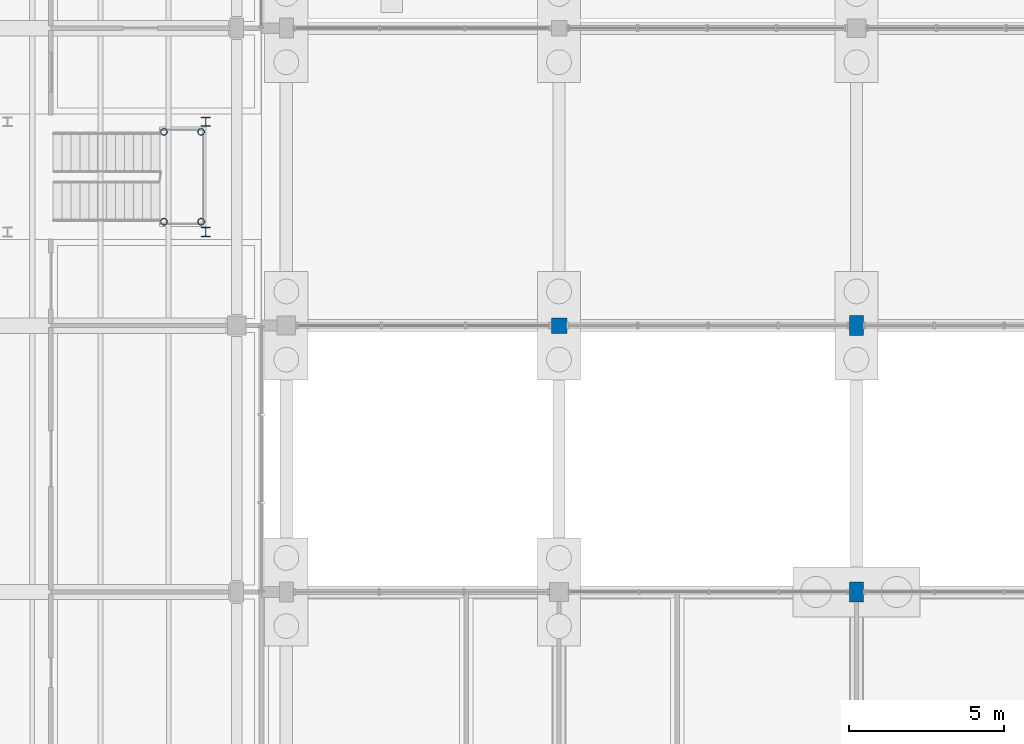
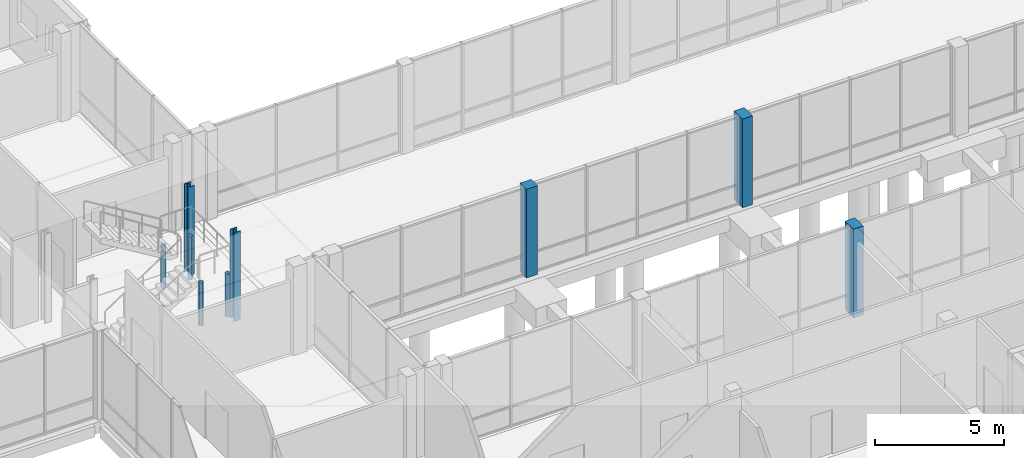
# One storey, part 8 of 104: 9 columns.
"""IFC4 building model written with IfcOpenShell, lengths in metres."""

from ifc_helpers import new_model, si_unit, direction, frame, origin, origin_2d, place, context, subcontext, project, spatial, rectangle, hollow_circle, i_section, extrude, material, material_profile, profile_set, type_object, element, save


model = new_model("IFC4")

# Units and contexts
model_context = context("Model", 3, precision=1e-05, world=origin(), true_north=direction((0.0, 1.0)))
body_context = subcontext(model_context, "Body", "Model", "MODEL_VIEW")
ifc_project = project(units=[si_unit("LENGTHUNIT", "METRE"), si_unit("AREAUNIT", "SQUARE_METRE"), si_unit("VOLUMEUNIT", "CUBIC_METRE"), si_unit("PLANEANGLEUNIT", "RADIAN"), si_unit("MASSUNIT", "GRAM", prefix="KILO")], contexts=[model_context])

# Site, building, storey
site_placement = place(None, origin())
site = spatial("IfcSite", under=ifc_project, at=site_placement, CompositionType="ELEMENT")
building_placement = place(site_placement, origin())
building = spatial("IfcBuilding", under=site, at=building_placement, Name="Hawrajan Terrace Health Centre", CompositionType="ELEMENT")
storey_placement = place(building_placement, origin())
storey = spatial("IfcBuildingStorey", under=building, at=storey_placement, Name="L00", CompositionType="ELEMENT", Elevation=0.0)

# Columns
ifc_material_1 = material(Name="Concrete C40/50", Category="concrete")
ifc_material_profile_1 = material_profile(ifc_material_1, rectangle(XDim=0.449951171875, YDim=0.64990234375, at=origin_2d()), Name="RC 450x650")
ifc_profile_set_1 = profile_set([ifc_material_profile_1], Name="Concrete C40/50")
column_type_1 = type_object("IfcColumnType", Name="RCCol_450x650", PredefinedType="COLUMN", material=ifc_profile_set_1)
for number, where, z_axis, x_axis, name in (
    (1, (91.0, 18.60009765625, 0.0), (0.0, 0.0, 1.0), (1.0, 0.0, 0.0), "Column COL-L00-C-X12-Y3"),
    (2, (91.0, 27.199951171875, 0.0), (0.0, 0.0, 1.0), (1.0, 0.0, 0.0), "Column COL-L00-C-X12-Y4"),
):
    element("IfcColumn", number, at=place(storey_placement, frame(where, z_axis=z_axis, x_axis=x_axis)), inside=storey, type_object=column_type_1, Name=name, PredefinedType="COLUMN", context=body_context, shape_type="SweptSolid", body=[
        extrude(rectangle(XDim=0.449951171875, YDim=0.64990234375, at=origin_2d()), origin(), (0.0, 0.0, 1.0), 4.199951171875),
    ])
ifc_material_profile_2 = material_profile(ifc_material_1, rectangle(XDim=0.5, YDim=0.5, at=origin_2d()), Name="RC 500x500")
ifc_profile_set_2 = profile_set([ifc_material_profile_2], Name="Concrete C40/50")
column_type_2 = type_object("IfcColumnType", Name="RCCol_500x500", PredefinedType="COLUMN", material=ifc_profile_set_2)
column_placement = place(storey_placement, frame((81.39990234375, 27.199951171875, 0.0), z_axis=(0.0, 0.0, 1.0), x_axis=(1.0, 0.0, 0.0)))
element("IfcColumn", 3, at=column_placement, inside=storey, type_object=column_type_2, Name="Column COL-L00-C-X11-Y4", PredefinedType="COLUMN", context=body_context, shape_type="SweptSolid", body=[
    extrude(rectangle(XDim=0.5, YDim=0.5, at=origin_2d()), origin(), (0.0, 0.0, 1.0), 4.199951171875),
])
ifc_material_2 = material(Name="Steel S355", Category="steel")
ifc_material_profile_3 = material_profile(ifc_material_2, hollow_circle(Radius=0.109619140625, WallThickness=0.010009765625, at=origin_2d()), Name="CHS 219.1x10.0")
ifc_profile_set_3 = profile_set([ifc_material_profile_3], Name="Steel S355")
column_type_3 = type_object("IfcColumnType", Name="SteelCol_CHS219", PredefinedType="COLUMN", material=ifc_profile_set_3)
for number, where, z_axis, x_axis, name in (
    (4, (68.64990234375, 30.550048828125, 0.0), (0.0, 0.0, 1.0), (1.0, 0.0, 0.0), "Feature stair landing post 1"),
    (5, (69.85009765625, 30.550048828125, 0.0), (0.0, 0.0, 1.0), (1.0, 0.0, 0.0), "Feature stair landing post 2"),
    (6, (69.85009765625, 33.449951171875, 0.0), (0.0, 0.0, 1.0), (1.0, 0.0, 0.0), "Feature stair landing post 3"),
    (7, (68.64990234375, 33.449951171875, 0.0), (0.0, 0.0, 1.0), (1.0, 0.0, 0.0), "Feature stair landing post 4"),
):
    element("IfcColumn", number, at=place(storey_placement, frame(where, z_axis=z_axis, x_axis=x_axis)), inside=storey, type_object=column_type_3, Name=name, PredefinedType="COLUMN", context=body_context, shape_type="SweptSolid", body=[
        extrude(hollow_circle(Radius=0.109619140625, WallThickness=0.010009765625, at=origin_2d()), origin(), (0.0, 0.0, 1.0), 2.030029296875),
    ])
ifc_material_profile_4 = material_profile(ifc_material_2, i_section(OverallWidth=0.300048828125, OverallDepth=0.300048828125, WebThickness=0.010986328125, FlangeThickness=0.01904296875, FilletRadius=0.027099609375, at=origin_2d()), Name="HEB 300")
ifc_profile_set_4 = profile_set([ifc_material_profile_4], Name="Steel S355")
column_type_4 = type_object("IfcColumnType", Name="SteelCol_HEB300", PredefinedType="COLUMN", material=ifc_profile_set_4)
for number, where, z_axis, x_axis, name in (
    (8, (70.0, 30.219970703125, 0.0), (0.0, 0.0, 1.0), (1.0, 0.0, 0.0), "Feature stair column L00-2"),
    (9, (70.0, 33.780029296875, 0.0), (0.0, 0.0, 1.0), (1.0, 0.0, 0.0), "Feature stair column L00-3"),
):
    element("IfcColumn", number, at=place(storey_placement, frame(where, z_axis=z_axis, x_axis=x_axis)), inside=storey, type_object=column_type_4, Name=name, PredefinedType="COLUMN", context=body_context, shape_type="SweptSolid", body=[
        extrude(i_section(OverallWidth=0.300048828125, OverallDepth=0.300048828125, WebThickness=0.010986328125, FlangeThickness=0.01904296875, FilletRadius=0.027099609375, at=origin_2d()), origin(), (0.0, 0.0, 1.0), 4.199951171875),
    ])

save(model, "model.ifc")
